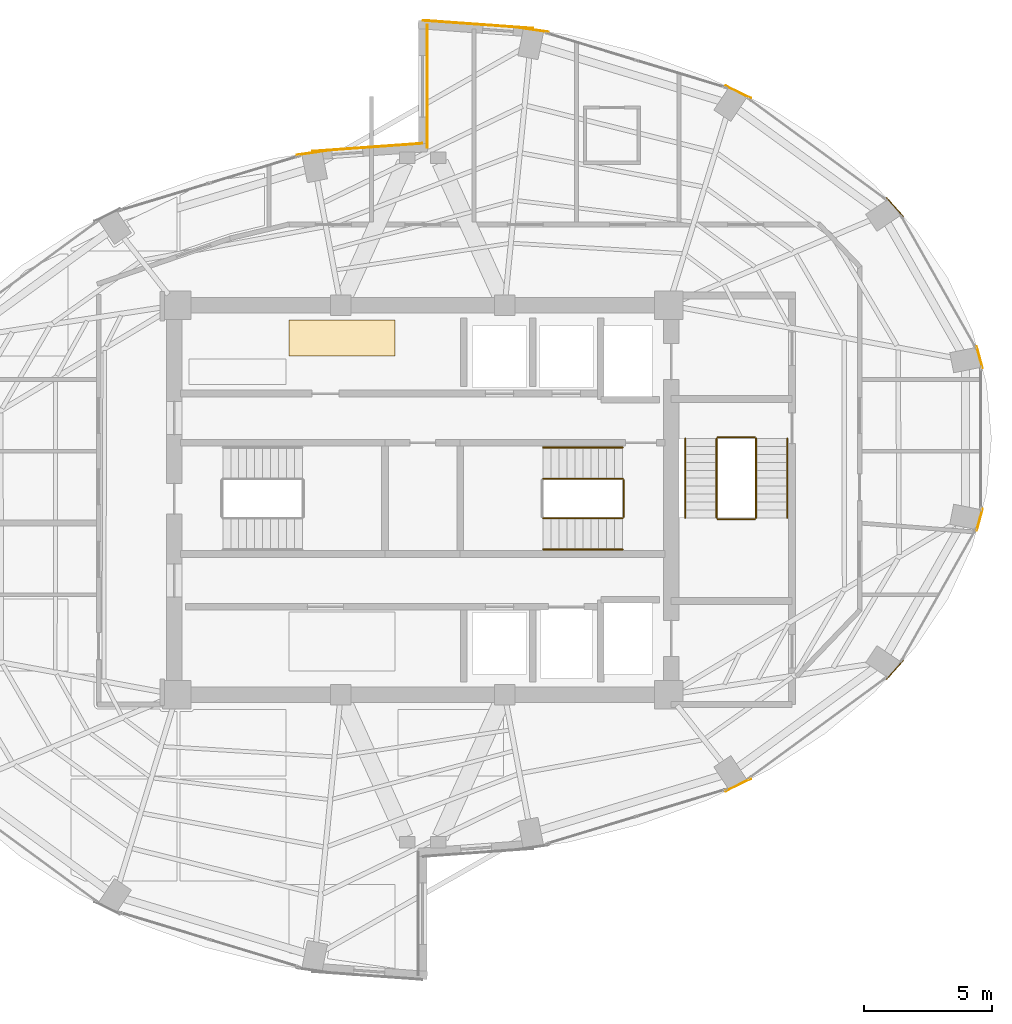
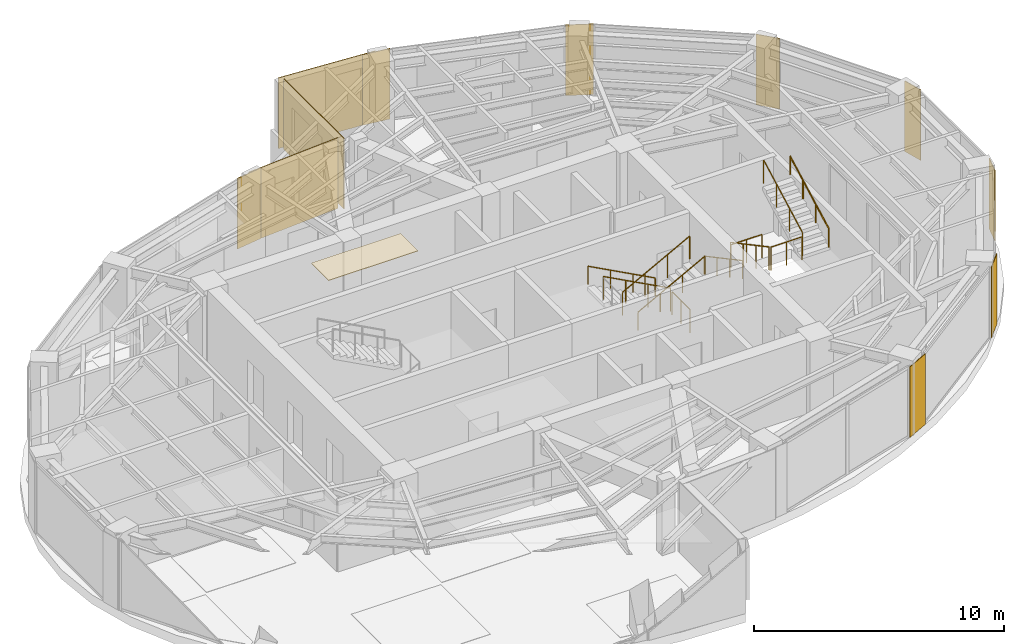
# One storey, part 23 of 23: 12 coverings, 11 railings.
"""IFC4 building model written with IfcOpenShell, lengths in metres."""

from ifc_helpers import new_model, si_unit, direction, frame, origin, origin_2d, place, context, subcontext, project, spatial, polyline, rectangle, circle, outline, extrude, material, layer, layer_set, type_object, element, save


model = new_model("IFC4")

# Units and contexts
model_context = context("Model", 3, precision=1e-05, world=origin(), true_north=direction((0.0, 1.0)))
body_context = subcontext(model_context, "Body", "Model", "MODEL_VIEW")
ifc_project = project(units=[si_unit("LENGTHUNIT", "METRE"), si_unit("AREAUNIT", "SQUARE_METRE"), si_unit("VOLUMEUNIT", "CUBIC_METRE"), si_unit("PLANEANGLEUNIT", "RADIAN"), si_unit("MASSUNIT", "GRAM", prefix="KILO")], contexts=[model_context])

# Site, building, storey
site_placement = place(None, origin())
site = spatial("IfcSite", under=ifc_project, at=site_placement, CompositionType="ELEMENT")
building_placement = place(site_placement, origin())
building = spatial("IfcBuilding", under=site, at=building_placement, Name="Lazwardi Medical Tower", CompositionType="ELEMENT")
storey_placement = place(building_placement, frame((0.0, 0.0, 194.83203125)))
storey = spatial("IfcBuildingStorey", under=building, at=storey_placement, Name="L50", CompositionType="ELEMENT", Elevation=194.83203125)

# Coverings
ifc_material_1 = material(Name="Anodised bronze aluminium cassette cladding", Category="aluminium")
ifc_layer_1 = layer(ifc_material_1, 0.030029296875)
ifc_layer_set_1 = layer_set([ifc_layer_1], Name="Anodised bronze aluminium cassette cladding")
covering_type_1 = type_object("IfcCoveringType", Name="COV-CLD-BRZ", PredefinedType="CLADDING", material=ifc_layer_set_1)
covering_1_placement = place(storey_placement, frame((48.311279296875, 16.878662109375, 0.0), z_axis=(0.0, 0.0, 1.0), x_axis=(0.897840141691, 0.440321564278, 0.0)))
element("IfcCovering", 1, at=covering_1_placement, inside=storey, type_object=covering_type_1, Name="L50 Mega-column bronze cassette cover M02", PredefinedType="CLADDING", context=body_context, shape_type="SweptSolid", body=[
    extrude(rectangle(XDim=1.110595703125, YDim=0.030029296875, at=origin_2d()), origin(), (0.0, 0.0, 1.0), 3.447998046875),
])
covering_2_placement = place(storey_placement, frame((54.42529296875, 21.365234375, 0.0), z_axis=(0.0, 0.0, 1.0), x_axis=(0.673240970654, 0.739423150458, 0.0)))
element("IfcCovering", 2, at=covering_2_placement, inside=storey, type_object=covering_type_1, Name="L50 Mega-column bronze cassette cover M03", PredefinedType="CLADDING", context=body_context, shape_type="SweptSolid", body=[
    extrude(rectangle(XDim=0.98974609375, YDim=0.030029296875, at=origin_2d()), origin(), (0.0, 0.0, 1.0), 3.447998046875),
])
for number, where, z_axis, x_axis, name in (
    (3, (57.734130859375, 27.227294921875, 0.0), (0.0, 0.0, 1.0), (0.261641748247, 0.96516506131, 0.0), "L50 Mega-column bronze cassette cover M04"),
    (4, (57.734130859375, 33.572509765625, 0.0), (0.0, 0.0, 1.0), (-0.261641748247, 0.96516506131, 0.0), "L50 Mega-column bronze cassette cover M05"),
):
    element("IfcCovering", number, at=place(storey_placement, frame(where, z_axis=z_axis, x_axis=x_axis)), inside=storey, type_object=covering_type_1, Name=name, PredefinedType="CLADDING", context=body_context, shape_type="SweptSolid", body=[
        extrude(rectangle(XDim=0.894287109375, YDim=0.030029296875, at=origin_2d()), origin(), (0.0, 0.0, 1.0), 3.447998046875),
    ])
covering_3_placement = place(storey_placement, frame((54.42529296875, 39.434814453125, 0.0), z_axis=(0.0, 0.0, 1.0), x_axis=(-0.673240970654, 0.739423150458, 0.0)))
element("IfcCovering", 5, at=covering_3_placement, inside=storey, type_object=covering_type_1, Name="L50 Mega-column bronze cassette cover M06", PredefinedType="CLADDING", context=body_context, shape_type="SweptSolid", body=[
    extrude(rectangle(XDim=0.98974609375, YDim=0.030029296875, at=origin_2d()), origin(), (0.0, 0.0, 1.0), 3.447998046875),
])
covering_4_placement = place(storey_placement, frame((48.311279296875, 43.92138671875, 0.0), z_axis=(0.0, 0.0, 1.0), x_axis=(-0.897840141691, 0.440321564278, 0.0)))
element("IfcCovering", 6, at=covering_4_placement, inside=storey, type_object=covering_type_1, Name="L50 Mega-column bronze cassette cover M07", PredefinedType="CLADDING", context=body_context, shape_type="SweptSolid", body=[
    extrude(rectangle(XDim=1.110595703125, YDim=0.030029296875, at=origin_2d()), origin(), (0.0, 0.0, 1.0), 3.447998046875),
])
for number, where, z_axis, x_axis, name in (
    (7, (40.3232421875, 46.349609375, 0.0), (0.0, 0.0, 1.0), (-0.989512431533, 0.144447733943, 0.0), "L50 Mega-column bronze cassette cover M08"),
    (8, (31.6767578125, 41.549560546875, 0.0), (0.0, 0.0, 1.0), (-0.989512431533, -0.144447733943, 0.0), "L50 Mega-column bronze cassette cover M09"),
):
    element("IfcCovering", number, at=place(storey_placement, frame(where, z_axis=z_axis, x_axis=x_axis)), inside=storey, type_object=covering_type_1, Name=name, PredefinedType="CLADDING", context=body_context, shape_type="SweptSolid", body=[
        extrude(rectangle(XDim=1.188720703125, YDim=0.030029296875, at=origin_2d()), origin(), (0.0, 0.0, 1.0), 3.447998046875),
    ])
ifc_material_2 = material(Name="Turquoise glazed ceramic tilework cladding", Category="masonry")
ifc_layer_2 = layer(ifc_material_2, 0.034912109375)
ifc_layer_set_2 = layer_set([ifc_layer_2], Name="Turquoise glazed ceramic tilework cladding")
covering_type_2 = type_object("IfcCoveringType", Name="COV-CLD-TRQ", PredefinedType="CLADDING", material=ifc_layer_set_2)
covering_5_placement = place(storey_placement, frame((38.16259765625, 46.56005859375, 0.0), z_axis=(0.0, 0.0, 1.0), x_axis=(-0.997409491337, 0.071932653157, 0.0)))
element("IfcCovering", 9, at=covering_5_placement, inside=storey, type_object=covering_type_2, Name="L50 Turquoise glazed ceramic tilework cladding", PredefinedType="CLADDING", context=body_context, shape_type="SweptSolid", body=[
    extrude(rectangle(XDim=4.31103515625, YDim=0.034912109375, at=origin_2d()), origin(), (0.0, 0.0, 1.0), 3.447998046875),
])
covering_6_placement = place(storey_placement, frame((33.83740234375, 41.760009765625, 0.0), z_axis=(0.0, 0.0, 1.0), x_axis=(-0.997408989128, -0.071939616387, 0.0)))
element("IfcCovering", 10, at=covering_6_placement, inside=storey, type_object=covering_type_2, Name="L50 Turquoise glazed ceramic tilework cladding", PredefinedType="CLADDING", context=body_context, shape_type="SweptSolid", body=[
    extrude(rectangle(XDim=4.310546875, YDim=0.034912109375, at=origin_2d()), origin(), (0.0, 0.0, 1.0), 3.447998046875),
])
covering_7_placement = place(storey_placement, frame((36.175537109375, 44.139892578125, 0.0), z_axis=(0.0, 0.0, 1.0), x_axis=(0.0, -1.0, 0.0)))
element("IfcCovering", 11, at=covering_7_placement, inside=storey, type_object=covering_type_2, Name="L50 Turquoise glazed ceramic tilework iwan panel", PredefinedType="CLADDING", context=body_context, shape_type="SweptSolid", body=[
    extrude(rectangle(XDim=4.800048828125, YDim=0.034912109375, at=origin_2d()), origin(), (0.0, 0.0, 1.0), 3.447998046875),
])
ifc_material_3 = material(Name="Acoustic mineral fibre tile")
ifc_layer_3 = layer(ifc_material_3, 0.02490234375)
ifc_layer_set_3 = layer_set([ifc_layer_3], Name="Acoustic mineral fibre tile")
covering_type_3 = type_object("IfcCoveringType", Name="COV-CLG-01", PredefinedType="CEILING", material=ifc_layer_set_3)
covering_8_placement = place(storey_placement, frame((0.0, 0.0, 3.302978515625)))
element("IfcCovering", 12, at=covering_8_placement, inside=storey, type_object=covering_type_3, Name="L50 Clinical Acoustic Ceiling 9", PredefinedType="CEILING", context=body_context, shape_type="SweptSolid", body=[
    extrude(outline(polyline([(34.912841796875, 35.02001953125), (30.782958984375, 35.02001953125), (30.782958984375, 33.62255859375), (34.912841796875, 33.62255859375), (34.912841796875, 35.02001953125)])), origin(), (0.0, 0.0, 1.0), 0.02490234375),
])

# Railings
ifc_material_4 = material(Name="Stainless steel Grade 316", Category="steel")
railing_type_1 = type_object("IfcRailingType", Name="RLG-GRD-1150", PredefinedType="GUARDRAIL", material=ifc_material_4)
railing_1_placement = place(storey_placement, frame((43.800048828125, 28.830078125, 0.165771484375)))
element("IfcRailing", 13, at=railing_1_placement, inside=storey, type_object=railing_type_1, Name="L50 ST2 stair guard 1", PredefinedType="GUARDRAIL", context=body_context, shape_type="SweptSolid", body=[
    extrude(circle(Radius=0.02392578125, at=origin_2d()), frame((0.0, 0.0, 1.1259765625), z_axis=(-0.881783298633, 0.0, 0.471654761719), x_axis=(0.0, -1.0, 0.0)), (0.0, 0.0, 1.0), 3.515625),
    extrude(circle(Radius=0.02099609375, at=origin_2d()), origin(), (0.0, 0.0, 1.0), 1.099853515625),
    extrude(circle(Radius=0.02099609375, at=origin_2d()), frame((-1.033447265625, 0.0, 0.552734375)), (0.0, 0.0, 1.0), 1.099853515625),
    extrude(circle(Radius=0.02099609375, at=origin_2d()), frame((-2.066650390625, 0.0, 1.10546875)), (0.0, 0.0, 1.0), 1.099853515625),
    extrude(circle(Radius=0.02099609375, at=origin_2d()), frame((-3.10009765625, 0.0, 1.658203125)), (0.0, 0.0, 1.0), 1.099853515625),
])
railing_2_placement = place(storey_placement, frame((40.699951171875, 27.2900390625, 1.98974609375)))
element("IfcRailing", 14, at=railing_2_placement, inside=storey, type_object=railing_type_1, Name="L50 ST2 stair guard 3", PredefinedType="GUARDRAIL", context=body_context, shape_type="SweptSolid", body=[
    extrude(circle(Radius=0.02392578125, at=origin_2d()), frame((0.0, 0.0, 1.1259765625), z_axis=(0.881783298633, 0.0, 0.471654761719), x_axis=(0.0, 1.0, 0.0)), (0.0, 0.0, 1.0), 3.515625),
    extrude(circle(Radius=0.02099609375, at=origin_2d()), origin(), (0.0, 0.0, 1.0), 1.099853515625),
    extrude(circle(Radius=0.02099609375, at=origin_2d()), frame((1.033447265625, 0.0, 0.552734375)), (0.0, 0.0, 1.0), 1.099853515625),
    extrude(circle(Radius=0.02099609375, at=origin_2d()), frame((2.066650390625, 0.0, 1.10546875)), (0.0, 0.0, 1.0), 1.099853515625),
    extrude(circle(Radius=0.02099609375, at=origin_2d()), frame((3.10009765625, 0.0, 1.658203125)), (0.0, 0.0, 1.0), 1.099853515625),
])
railing_3_placement = place(storey_placement, frame((43.85009765625, 28.780029296875, 0.0)))
element("IfcRailing", 15, at=railing_3_placement, inside=storey, type_object=railing_type_1, Name="L50 ST2 stair guard 4", PredefinedType="GUARDRAIL", context=body_context, shape_type="SweptSolid", body=[
    extrude(circle(Radius=0.02392578125, at=origin_2d()), frame((0.0, 0.0, 1.1259765625), z_axis=(0.0, -1.0, 0.0), x_axis=(1.0, 0.0, 0.0)), (0.0, 0.0, 1.0), 1.43994140625),
    extrude(circle(Radius=0.02099609375, at=origin_2d()), origin(), (0.0, 0.0, 1.0), 1.099853515625),
    extrude(circle(Radius=0.02099609375, at=origin_2d()), frame((0.0, -0.719970703125, 0.0)), (0.0, 0.0, 1.0), 1.099853515625),
    extrude(circle(Radius=0.02099609375, at=origin_2d()), frame((0.0, -1.43994140625, 0.0)), (0.0, 0.0, 1.0), 1.099853515625),
])
railing_4_placement = place(storey_placement, frame((47.469970703125, 30.39990234375, 0.165771484375)))
element("IfcRailing", 16, at=railing_4_placement, inside=storey, type_object=railing_type_1, Name="L50 ST3 stair guard 1", PredefinedType="GUARDRAIL", context=body_context, shape_type="SweptSolid", body=[
    extrude(circle(Radius=0.02392578125, at=origin_2d()), frame((0.0, 0.0, 1.1259765625), z_axis=(0.0, -0.881767849116, 0.471683644262), x_axis=(1.0, 0.0, 0.0)), (0.0, 0.0, 1.0), 3.515380859375),
    extrude(circle(Radius=0.02099609375, at=origin_2d()), origin(), (0.0, 0.0, 1.0), 1.099853515625),
    extrude(circle(Radius=0.02099609375, at=origin_2d()), frame((0.0, -1.033203125, 0.552734375)), (0.0, 0.0, 1.0), 1.099853515625),
    extrude(circle(Radius=0.02099609375, at=origin_2d()), frame((0.0, -2.066650390625, 1.10546875)), (0.0, 0.0, 1.0), 1.099853515625),
    extrude(circle(Radius=0.02099609375, at=origin_2d()), frame((0.0, -3.099853515625, 1.658203125)), (0.0, 0.0, 1.0), 1.099853515625),
])
railing_5_placement = place(storey_placement, frame((47.52001953125, 27.25, 1.823974609375)))
element("IfcRailing", 17, at=railing_5_placement, inside=storey, type_object=railing_type_1, Name="L50 ST3 stair guard 2", PredefinedType="GUARDRAIL", context=body_context, shape_type="SweptSolid", body=[
    extrude(circle(Radius=0.02392578125, at=origin_2d()), frame((0.0, 0.0, 1.1259765625), z_axis=(1.0, 0.0, 0.0), x_axis=(0.0, 1.0, 0.0)), (0.0, 0.0, 1.0), 1.43994140625),
    extrude(circle(Radius=0.02099609375, at=origin_2d()), origin(), (0.0, 0.0, 1.0), 1.099853515625),
    extrude(circle(Radius=0.02099609375, at=origin_2d()), frame((0.719970703125, 0.0, 0.0)), (0.0, 0.0, 1.0), 1.099853515625),
    extrude(circle(Radius=0.02099609375, at=origin_2d()), frame((1.43994140625, 0.0, 0.0)), (0.0, 0.0, 1.0), 1.099853515625),
])
railing_6_placement = place(storey_placement, frame((49.010009765625, 27.300048828125, 1.98974609375)))
element("IfcRailing", 18, at=railing_6_placement, inside=storey, type_object=railing_type_1, Name="L50 ST3 stair guard 3", PredefinedType="GUARDRAIL", context=body_context, shape_type="SweptSolid", body=[
    extrude(circle(Radius=0.02392578125, at=origin_2d()), frame((0.0, 0.0, 1.1259765625), z_axis=(0.0, 0.881767849116, 0.471683644262), x_axis=(-1.0, 0.0, 0.0)), (0.0, 0.0, 1.0), 3.515380859375),
    extrude(circle(Radius=0.02099609375, at=origin_2d()), origin(), (0.0, 0.0, 1.0), 1.099853515625),
    extrude(circle(Radius=0.02099609375, at=origin_2d()), frame((0.0, 1.033203125, 0.552734375)), (0.0, 0.0, 1.0), 1.099853515625),
    extrude(circle(Radius=0.02099609375, at=origin_2d()), frame((0.0, 2.066650390625, 1.10546875)), (0.0, 0.0, 1.0), 1.099853515625),
    extrude(circle(Radius=0.02099609375, at=origin_2d()), frame((0.0, 3.099853515625, 1.658203125)), (0.0, 0.0, 1.0), 1.099853515625),
])
railing_7_placement = place(storey_placement, frame((47.52001953125, 30.449951171875, 0.0)))
element("IfcRailing", 19, at=railing_7_placement, inside=storey, type_object=railing_type_1, Name="L50 ST3 stair guard 4", PredefinedType="GUARDRAIL", context=body_context, shape_type="SweptSolid", body=[
    extrude(circle(Radius=0.02392578125, at=origin_2d()), frame((0.0, 0.0, 1.1259765625), z_axis=(1.0, 0.0, 0.0), x_axis=(0.0, 1.0, 0.0)), (0.0, 0.0, 1.0), 1.43994140625),
    extrude(circle(Radius=0.02099609375, at=origin_2d()), origin(), (0.0, 0.0, 1.0), 1.099853515625),
    extrude(circle(Radius=0.02099609375, at=origin_2d()), frame((0.719970703125, 0.0, 0.0)), (0.0, 0.0, 1.0), 1.099853515625),
    extrude(circle(Radius=0.02099609375, at=origin_2d()), frame((1.43994140625, 0.0, 0.0)), (0.0, 0.0, 1.0), 1.099853515625),
])
railing_type_2 = type_object("IfcRailingType", Name="RLG-HND-920", PredefinedType="HANDRAIL", material=ifc_material_4)
railing_8_placement = place(storey_placement, frame((43.800048828125, 30.050048828125, 0.165771484375)))
element("IfcRailing", 20, at=railing_8_placement, inside=storey, type_object=railing_type_2, Name="L50 ST2 stair handrail 1", PredefinedType="HANDRAIL", context=body_context, shape_type="SweptSolid", body=[
    extrude(circle(Radius=0.02392578125, at=origin_2d()), frame((0.0, 0.0, 0.8857421875), z_axis=(-0.881783298633, 0.0, 0.471654761719), x_axis=(0.0, -1.0, 0.0)), (0.0, 0.0, 1.0), 3.515625),
    extrude(circle(Radius=0.02099609375, at=origin_2d()), origin(), (0.0, 0.0, 1.0), 0.85986328125),
    extrude(circle(Radius=0.02099609375, at=origin_2d()), frame((-1.033447265625, 0.0, 0.552734375)), (0.0, 0.0, 1.0), 0.85986328125),
    extrude(circle(Radius=0.02099609375, at=origin_2d()), frame((-2.066650390625, 0.0, 1.10546875)), (0.0, 0.0, 1.0), 0.85986328125),
    extrude(circle(Radius=0.02099609375, at=origin_2d()), frame((-3.10009765625, 0.0, 1.658203125)), (0.0, 0.0, 1.0), 0.85986328125),
])
railing_9_placement = place(storey_placement, frame((40.699951171875, 26.070068359375, 1.98974609375)))
element("IfcRailing", 21, at=railing_9_placement, inside=storey, type_object=railing_type_2, Name="L50 ST2 stair handrail 2", PredefinedType="HANDRAIL", context=body_context, shape_type="SweptSolid", body=[
    extrude(circle(Radius=0.02392578125, at=origin_2d()), frame((0.0, 0.0, 0.8857421875), z_axis=(0.881783298633, 0.0, 0.471654761719), x_axis=(0.0, 1.0, 0.0)), (0.0, 0.0, 1.0), 3.515625),
    extrude(circle(Radius=0.02099609375, at=origin_2d()), origin(), (0.0, 0.0, 1.0), 0.85986328125),
    extrude(circle(Radius=0.02099609375, at=origin_2d()), frame((1.033447265625, 0.0, 0.552734375)), (0.0, 0.0, 1.0), 0.85986328125),
    extrude(circle(Radius=0.02099609375, at=origin_2d()), frame((2.066650390625, 0.0, 1.10546875)), (0.0, 0.0, 1.0), 0.85986328125),
    extrude(circle(Radius=0.02099609375, at=origin_2d()), frame((3.10009765625, 0.0, 1.658203125)), (0.0, 0.0, 1.0), 0.85986328125),
])
railing_10_placement = place(storey_placement, frame((46.25, 30.39990234375, 0.165771484375)))
element("IfcRailing", 22, at=railing_10_placement, inside=storey, type_object=railing_type_2, Name="L50 ST3 stair handrail 1", PredefinedType="HANDRAIL", context=body_context, shape_type="SweptSolid", body=[
    extrude(circle(Radius=0.02392578125, at=origin_2d()), frame((0.0, 0.0, 0.8857421875), z_axis=(0.0, -0.881767849116, 0.471683644262), x_axis=(1.0, 0.0, 0.0)), (0.0, 0.0, 1.0), 3.515380859375),
    extrude(circle(Radius=0.02099609375, at=origin_2d()), origin(), (0.0, 0.0, 1.0), 0.85986328125),
    extrude(circle(Radius=0.02099609375, at=origin_2d()), frame((0.0, -1.033203125, 0.552734375)), (0.0, 0.0, 1.0), 0.85986328125),
    extrude(circle(Radius=0.02099609375, at=origin_2d()), frame((0.0, -2.066650390625, 1.10546875)), (0.0, 0.0, 1.0), 0.85986328125),
    extrude(circle(Radius=0.02099609375, at=origin_2d()), frame((0.0, -3.099853515625, 1.658203125)), (0.0, 0.0, 1.0), 0.85986328125),
])
railing_11_placement = place(storey_placement, frame((50.22998046875, 27.300048828125, 1.98974609375)))
element("IfcRailing", 23, at=railing_11_placement, inside=storey, type_object=railing_type_2, Name="L50 ST3 stair handrail 2", PredefinedType="HANDRAIL", context=body_context, shape_type="SweptSolid", body=[
    extrude(circle(Radius=0.02392578125, at=origin_2d()), frame((0.0, 0.0, 0.8857421875), z_axis=(0.0, 0.881767849116, 0.471683644262), x_axis=(-1.0, 0.0, 0.0)), (0.0, 0.0, 1.0), 3.515380859375),
    extrude(circle(Radius=0.02099609375, at=origin_2d()), origin(), (0.0, 0.0, 1.0), 0.85986328125),
    extrude(circle(Radius=0.02099609375, at=origin_2d()), frame((0.0, 1.033203125, 0.552734375)), (0.0, 0.0, 1.0), 0.85986328125),
    extrude(circle(Radius=0.02099609375, at=origin_2d()), frame((0.0, 2.066650390625, 1.10546875)), (0.0, 0.0, 1.0), 0.85986328125),
    extrude(circle(Radius=0.02099609375, at=origin_2d()), frame((0.0, 3.099853515625, 1.658203125)), (0.0, 0.0, 1.0), 0.85986328125),
])

save(model, "model.ifc")
